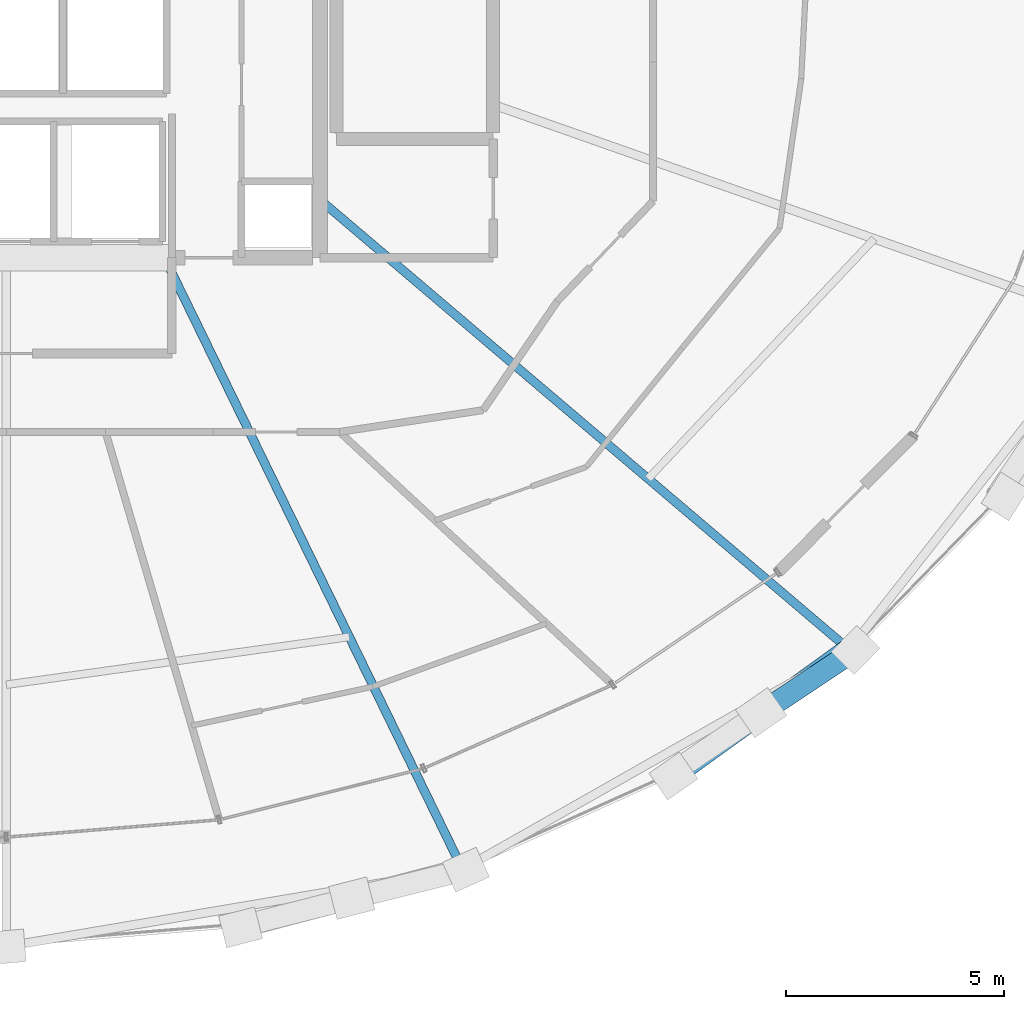
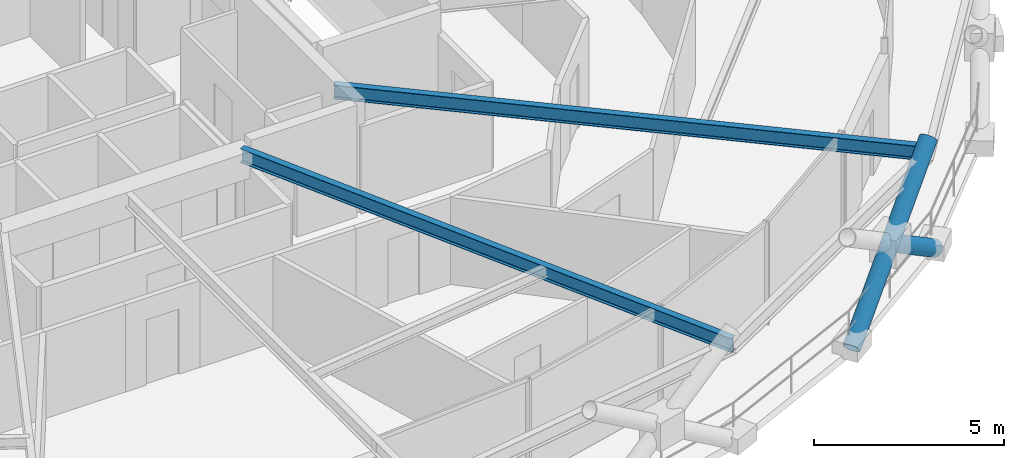
# One storey, part 5 of 15: 2 beams, 2 members.
"""IFC4 building model written with IfcOpenShell, lengths in metres."""

from ifc_helpers import new_model, si_unit, direction, frame, origin, origin_2d, place, context, subcontext, project, spatial, hollow_circle, i_section, extrude, material, material_profile, profile_set, type_object, element, save


model = new_model("IFC4")

# Units and contexts
model_context = context("Model", 3, precision=1e-05, world=origin(), true_north=direction((0.0, 1.0)))
body_context = subcontext(model_context, "Body", "Model", "MODEL_VIEW")
ifc_project = project(units=[si_unit("LENGTHUNIT", "METRE"), si_unit("AREAUNIT", "SQUARE_METRE"), si_unit("VOLUMEUNIT", "CUBIC_METRE"), si_unit("PLANEANGLEUNIT", "RADIAN"), si_unit("MASSUNIT", "GRAM", prefix="KILO")], contexts=[model_context])

# Site, building, storey
site_placement = place(None, origin())
site = spatial("IfcSite", under=ifc_project, at=site_placement, CompositionType="ELEMENT")
building_placement = place(site_placement, origin())
building = spatial("IfcBuilding", under=site, at=building_placement, Name="Veldorina Hangang Commons", CompositionType="ELEMENT")
storey_placement = place(building_placement, frame((0.0, 0.0, 182.0)))
storey = spatial("IfcBuildingStorey", under=building, at=storey_placement, Name="L47", CompositionType="ELEMENT", Elevation=182.0)

# Beams
ifc_material_1 = material(Name="Steel SM355-TMC", Category="steel")
ifc_material_profile_1 = material_profile(ifc_material_1, i_section(OverallWidth=0.199951171875, OverallDepth=0.449951171875, WebThickness=0.009033203125, FlangeThickness=0.013916015625, FilletRadius=0.01611328125, at=origin_2d()), Name="H-450x200x9x14")
ifc_profile_set_1 = profile_set([ifc_material_profile_1], Name="Steel SM355-TMC")
beam_type = type_object("IfcBeamType", Name="BM-FG450", PredefinedType="BEAM", material=ifc_profile_set_1)
beam_1_placement = place(storey_placement, frame((35.631103515625, 16.550048828125, 3.125), z_axis=(0.43812743876, -0.898912869752, 0.0), x_axis=(0.898912869752, 0.43812743876, 0.0)))
element("IfcBeam", 1, at=beam_1_placement, inside=storey, type_object=beam_type, Name="L47 radial floor girder 14", PredefinedType="BEAM", context=body_context, shape_type="SweptSolid", body=[
    extrude(i_section(OverallWidth=0.199951171875, OverallDepth=0.449951171875, WebThickness=0.009033203125, FlangeThickness=0.013916015625, FilletRadius=0.01611328125, at=origin_2d()), origin(), (0.0, 0.0, 1.0), 15.623779296875),
])
beam_2_placement = place(storey_placement, frame((39.199951171875, 17.881103515625, 3.125), z_axis=(0.762001987409, -0.647574683866, 0.0), x_axis=(0.647574683866, 0.762001987409, 0.0)))
element("IfcBeam", 2, at=beam_2_placement, inside=storey, type_object=beam_type, Name="L47 radial floor girder 15", PredefinedType="BEAM", context=body_context, shape_type="SweptSolid", body=[
    extrude(i_section(OverallWidth=0.199951171875, OverallDepth=0.449951171875, WebThickness=0.009033203125, FlangeThickness=0.013916015625, FilletRadius=0.01611328125, at=origin_2d()), origin(), (0.0, 0.0, 1.0), 15.955078125),
])

# Members
ifc_material_2 = material(Name="Steel SM420-TMC", Category="steel")
ifc_material_profile_2 = material_profile(ifc_material_2, hollow_circle(Radius=0.25, WallThickness=0.02490234375, at=origin_2d()), Name="CHS-500x25")
ifc_profile_set_2 = profile_set([ifc_material_profile_2], Name="Steel SM420-TMC")
member_type = type_object("IfcMemberType", Name="DG-CHS500", PredefinedType="BRACE", material=ifc_profile_set_2)
member_1_placement = place(storey_placement, frame((47.320556640625, 4.64697265625, 0.0), z_axis=(0.655479424604, 0.474088390548, 0.587866414986), x_axis=(-0.586048198823, 0.810276192823, 0.0)))
element("IfcMember", 3, at=member_1_placement, inside=storey, type_object=member_type, Name="L47 continuous perimeter diagrid brace 27", PredefinedType="BRACE", context=body_context, shape_type="SweptSolid", body=[
    extrude(hollow_circle(Radius=0.25, WallThickness=0.02490234375, at=origin_2d()), origin(), (0.0, 0.0, 1.0), 6.1240234375),
])
member_2_placement = place(storey_placement, frame((51.499267578125, 7.54150390625, 0.0), z_axis=(-0.684192391009, -0.454508596575, 0.570353142995), x_axis=(0.553334333432, -0.832959251972, 0.0)))
element("IfcMember", 4, at=member_2_placement, inside=storey, type_object=member_type, Name="L47 split perimeter diagrid lower brace 28", PredefinedType="BRACE", context=body_context, shape_type="SweptSolid", body=[
    extrude(hollow_circle(Radius=0.25, WallThickness=0.02490234375, at=origin_2d()), origin(), (0.0, 0.0, 1.0), 3.16552734375),
])

save(model, "model.ifc")
